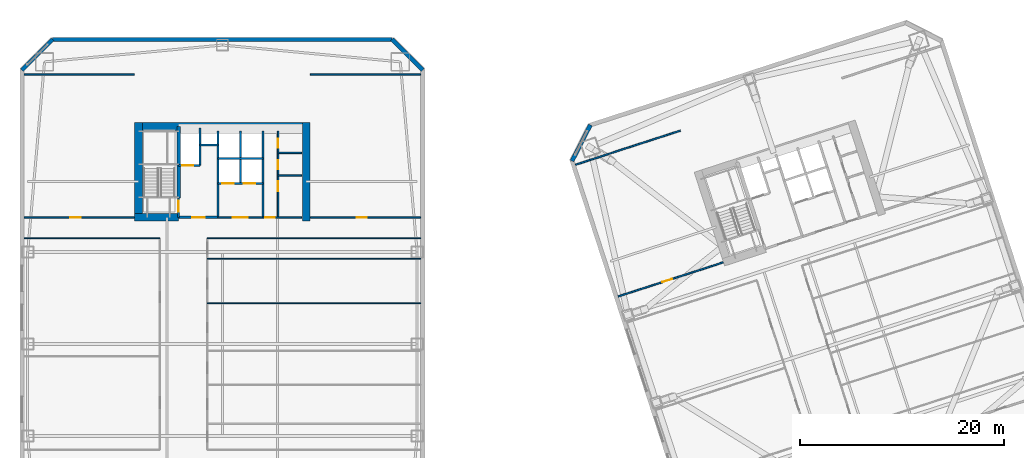
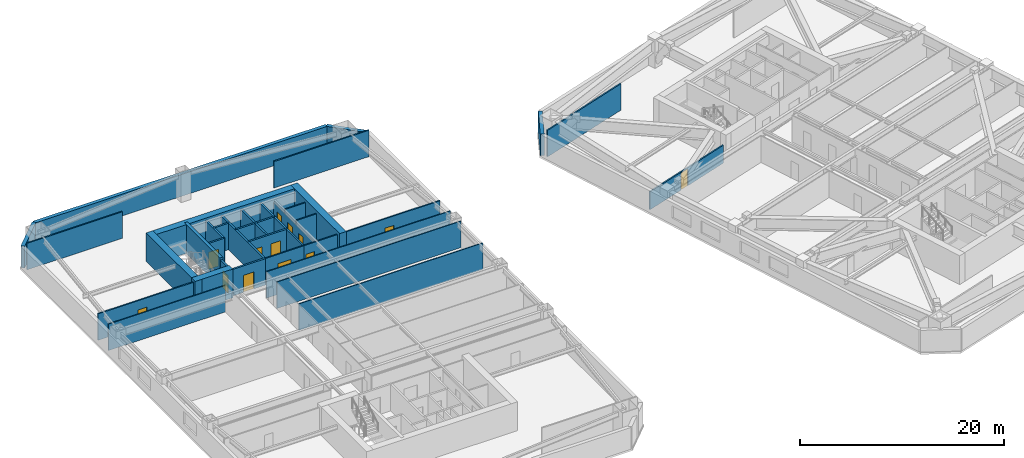
# One storey, part 13 of 18: 34 walls, 13 doors, 13 openings.
"""IFC4 building model written with IfcOpenShell, lengths in metres."""

from ifc_helpers import new_model, si_unit, direction, frame, frame_2d, origin, place, context, subcontext, project, spatial, rectangle, extrude, material, layer, layer_set, type_object, element, fill, save


model = new_model("IFC4")

# Units and contexts
model_context = context("Model", 3, precision=1e-05, world=origin(), true_north=direction((0.0, 1.0)))
body_context = subcontext(model_context, "Body", "Model", "MODEL_VIEW")
ifc_project = project(units=[si_unit("LENGTHUNIT", "METRE"), si_unit("AREAUNIT", "SQUARE_METRE"), si_unit("VOLUMEUNIT", "CUBIC_METRE"), si_unit("PLANEANGLEUNIT", "RADIAN"), si_unit("MASSUNIT", "GRAM", prefix="KILO")], contexts=[model_context])

# Site, building, storey
site_placement = place(None, origin())
site = spatial("IfcSite", under=ifc_project, at=site_placement, CompositionType="ELEMENT")
building_placement = place(site_placement, origin())
building = spatial("IfcBuilding", under=site, at=building_placement, Name="Qiaolan Cultural Towers", CompositionType="ELEMENT")
storey_placement = place(building_placement, frame((0.0, 0.0, 74.75)))
storey = spatial("IfcBuildingStorey", under=building, at=storey_placement, Name="L18", CompositionType="ELEMENT", Elevation=74.75)

# Walls
ifc_material_1 = material(Name="Concrete C50", Category="concrete")
ifc_layer_1 = layer(ifc_material_1, 0.35009765625)
ifc_layer_set_1 = layer_set([ifc_layer_1], Name="Concrete C50")
wall_type_1 = type_object("IfcWallType", Name="WL-CORE-350", PredefinedType="SHEAR", material=ifc_layer_set_1)
wall_1_placement = place(storey_placement, frame((25.719970703125, 48.300048828125, 0.0), z_axis=(0.0, 0.0, 1.0), x_axis=(0.0, 1.0, 0.0)))
element("IfcWall", 1, at=wall_1_placement, inside=storey, type_object=wall_type_1, Name="L18 T1-CN Stair Core Dividing Web", PredefinedType="SHEAR", context=body_context, shape_type="SweptSolid", body=[
    extrude(rectangle(XDim=6.97998046875, YDim=0.35009765625, at=frame_2d((3.489990234375, 0.0))), origin(), (0.0, 0.0, 1.0), 3.449951171875),
])
ifc_material_2 = material(Name="Concrete C60", Category="concrete")
ifc_layer_2 = layer(ifc_material_2, 0.75)
ifc_layer_set_2 = layer_set([ifc_layer_2], Name="Concrete C60")
wall_type_2 = type_object("IfcWallType", Name="WL-CORE-750", PredefinedType="SHEAR", material=ifc_layer_set_2)
wall_2_placement = place(storey_placement, frame((21.425048828125, 55.280029296875, 0.0), z_axis=(0.0, 0.0, 1.0), x_axis=(1.0, 0.0, 0.0)))
element("IfcWall", 2, at=wall_2_placement, inside=storey, type_object=wall_type_2, Name="L18 T1-CN Outer Core Shear Wall", PredefinedType="SHEAR", context=body_context, shape_type="SweptSolid", body=[
    extrude(rectangle(XDim=17.14990234375, YDim=0.75, at=frame_2d((8.574951171875, 0.0))), origin(), (0.0, 0.0, 1.0), 3.449951171875),
])
for number, where, z_axis, x_axis, name in (
    (3, (21.800048828125, 46.02490234375, 0.0), (0.0, 0.0, 1.0), (0.0, 1.0, 0.0), "L18 T1-CN West Core Shear Wall"),
    (4, (38.199951171875, 46.02490234375, 0.0), (0.0, 0.0, 1.0), (0.0, 1.0, 0.0), "L18 T1-CN East Core Shear Wall"),
):
    element("IfcWall", number, at=place(storey_placement, frame(where, z_axis=z_axis, x_axis=x_axis)), inside=storey, type_object=wall_type_2, Name=name, PredefinedType="SHEAR", context=body_context, shape_type="SweptSolid", body=[
        extrude(rectangle(XDim=9.630126953125, YDim=0.75, at=frame_2d((4.81494140625, 0.0))), origin(), (0.0, 0.0, 1.0), 3.449951171875),
    ])
wall_3_placement = place(storey_placement, frame((21.425048828125, 46.39990234375, 0.0), z_axis=(0.0, 0.0, 1.0), x_axis=(1.0, 0.0, 0.0)))
element("IfcWall", 5, at=wall_3_placement, inside=storey, type_object=wall_type_2, Name="L18 T1-CN Stair Front Shear Wall", PredefinedType="SHEAR", context=body_context, shape_type="SweptSolid", body=[
    extrude(rectangle(XDim=4.294921875, YDim=0.75, at=frame_2d((2.1474609375, 0.0))), origin(), (0.0, 0.0, 1.0), 3.449951171875),
])
ifc_material_3 = material(Name="Precast Concrete C50 Honed Stone Pier", Category="masonry")
ifc_layer_3 = layer(ifc_material_3, 0.39990234375)
ifc_layer_set_3 = layer_set([ifc_layer_3], Name="Precast Concrete C50 Honed Stone Pier")
wall_type_3 = type_object("IfcWallType", Name="WL-EXT-PIER-400", PredefinedType="SOLIDWALL", material=ifc_layer_set_3)
wall_4_placement = place(storey_placement, frame((10.39990234375, 60.800048828125, 0.0), z_axis=(0.0, 0.0, 1.0), x_axis=(0.707106781187, 0.707106781187, 0.0)))
element("IfcWall", 6, at=wall_4_placement, inside=storey, type_object=wall_type_3, Name="L18 West Tower Precast Pier Facade Wall F2", PredefinedType="SOLIDWALL", context=body_context, shape_type="SweptSolid", body=[
    extrude(rectangle(XDim=4.24267578125, YDim=0.39990234375, at=frame_2d((2.121337890625, 0.0))), origin(), (0.0, 0.0, 1.0), 2.610107421875),
])
wall_5_placement = place(storey_placement, frame((13.39990234375, 63.800048828125, 0.0), z_axis=(0.0, 0.0, 1.0), x_axis=(1.0, 0.0, 0.0)))
element("IfcWall", 7, at=wall_5_placement, inside=storey, type_object=wall_type_3, Name="L18 West Tower Precast Pier Facade Wall F3", PredefinedType="SOLIDWALL", context=body_context, shape_type="SweptSolid", body=[
    extrude(rectangle(XDim=33.2001953125, YDim=0.39990234375, at=frame_2d((16.60009765625, 0.0))), origin(), (0.0, 0.0, 1.0), 2.610107421875),
])
wall_6_placement = place(storey_placement, frame((46.60009765625, 63.800048828125, 0.0), z_axis=(0.0, 0.0, 1.0), x_axis=(0.707106781187, -0.707106781187, 0.0)))
element("IfcWall", 8, at=wall_6_placement, inside=storey, type_object=wall_type_3, Name="L18 West Tower Precast Pier Facade Wall F4", PredefinedType="SOLIDWALL", context=body_context, shape_type="SweptSolid", body=[
    extrude(rectangle(XDim=4.24267578125, YDim=0.39990234375, at=frame_2d((2.121337890625, 0.0))), origin(), (0.0, 0.0, 1.0), 2.610107421875),
])
wall_7_placement = place(storey_placement, frame((64.20458984375, 51.905029296875, 0.0), z_axis=(0.0, 0.0, 1.0), x_axis=(0.453958106755, 0.891023028497, 0.0)))
element("IfcWall", 9, at=wall_7_placement, inside=storey, type_object=wall_type_3, Name="L18 East Tower Precast Pier Facade Wall F2", PredefinedType="SOLIDWALL", context=body_context, shape_type="SweptSolid", body=[
    extrude(rectangle(XDim=3.9599609375, YDim=0.39990234375, at=frame_2d((1.97998046875, 0.0))), origin(), (0.0, 0.0, 1.0), 2.610107421875),
])

# Wall, opening, door
ifc_material_4 = material(Name="Concrete C35 Fire Wall", Category="concrete")
ifc_layer_4 = layer(ifc_material_4, 0.199951171875)
ifc_layer_set_4 = layer_set([ifc_layer_4], Name="Concrete C35 Fire Wall")
wall_type_4 = type_object("IfcWallType", Name="WL-FIRE-200", PredefinedType="PARTITIONING", material=ifc_layer_set_4)
wall_8_placement = place(storey_placement, frame((25.719970703125, 46.39990234375, 0.0), z_axis=(0.0, 0.0, 1.0), x_axis=(0.0, 1.0, 0.0)))
wall_8 = element("IfcWall", 10, at=wall_8_placement, inside=storey, type_object=wall_type_4, Name="L18 T1-CN Smokeproof Stair Entry Wall", PredefinedType="PARTITIONING", context=body_context, shape_type="SweptSolid", body=[
    extrude(rectangle(XDim=1.900146484375, YDim=0.199951171875, at=frame_2d((0.9501953125, 0.0))), origin(), (0.0, 0.0, 1.0), 3.175048828125),
])
opening_1_placement = place(wall_8_placement, frame((0.52001953125, 0.0, 0.0)))
opening_1 = element("IfcOpeningElement", 11, at=opening_1_placement, cuts=wall_8, Name="Opening FD-04", PredefinedType="OPENING", context=body_context, shape_type="SweptSolid", body=[
    extrude(rectangle(XDim=1.10009765625, YDim=2.050048828125, at=frame_2d((0.550048828125, 1.02490234375))), frame((0.0, 0.10986328125, 0.0), z_axis=(0.0, -1.0, 0.0), x_axis=(1.0, 0.0, 0.0)), (0.0, 0.0, 1.0), 0.219970703125),
])
ifc_material_5 = material(Name="Galvanized Steel Command Fire Door", Category="steel")
door_type_1 = type_object("IfcDoorType", Name="DR-FD90-1100", OperationType="NOTDEFINED", PredefinedType="DOOR", material=ifc_material_5)
door_1_placement = place(opening_1_placement, origin())
door_1 = element("IfcDoor", 12, at=door_1_placement, inside=storey, type_object=door_type_1, Name="L18 ST-W2 Smokeproof Stair Fire Door", OperationType="SINGLE_SWING_LEFT", OverallHeight=2.050048828125, OverallWidth=1.10009765625, PredefinedType="DOOR", context=body_context, shape_type="SweptSolid", body=[
    extrude(rectangle(XDim=1.10009765625, YDim=2.050048828125, at=frame_2d((0.550048828125, 1.02490234375))), frame((0.0, 0.02490234375, 0.0), z_axis=(0.0, -1.0, 0.0), x_axis=(1.0, 0.0, 0.0)), (0.0, 0.0, 1.0), 0.050048828125),
])
fill(opening_1, door_1)

# Wall
wall_9_placement = place(storey_placement, frame((29.550048828125, 46.39990234375, 0.0), z_axis=(0.0, 0.0, 1.0), x_axis=(0.0, 1.0, 0.0)))
element("IfcWall", 13, at=wall_9_placement, inside=storey, type_object=wall_type_4, Name="L18 T1-CN Firefighting Zone Wall", PredefinedType="PARTITIONING", context=body_context, shape_type="SweptSolid", body=[
    extrude(rectangle(XDim=8.43017578125, YDim=0.199951171875, at=frame_2d((4.215087890625, 0.0))), origin(), (0.0, 0.0, 1.0), 3.175048828125),
])

# Wall, opening, door
wall_10_placement = place(storey_placement, frame((25.719970703125, 46.39990234375, 0.0), z_axis=(0.0, 0.0, 1.0), x_axis=(1.0, 0.0, 0.0)))
wall_10 = element("IfcWall", 14, at=wall_10_placement, inside=storey, type_object=wall_type_4, Name="L18 T1-CN Firefighting Lobby Front Wall", PredefinedType="PARTITIONING", context=body_context, shape_type="SweptSolid", body=[
    extrude(rectangle(XDim=3.830078125, YDim=0.199951171875, at=frame_2d((1.9150390625, 0.0))), origin(), (0.0, 0.0, 1.0), 3.175048828125),
])
opening_2_placement = place(wall_10_placement, frame((1.35009765625, 0.0, 0.0)))
opening_2 = element("IfcOpeningElement", 15, at=opening_2_placement, cuts=wall_10, Name="Opening FD-03", PredefinedType="OPENING", context=body_context, shape_type="SweptSolid", body=[
    extrude(rectangle(XDim=1.199951171875, YDim=2.050048828125, at=frame_2d((0.60009765625, 1.02490234375))), frame((0.0, 0.10986328125, 0.0), z_axis=(0.0, -1.0, 0.0), x_axis=(1.0, 0.0, 0.0)), (0.0, 0.0, 1.0), 0.219970703125),
])
ifc_material_6 = material(Name="Galvanized Steel Smokeproof Lobby Fire Door", Category="steel")
door_type_2 = type_object("IfcDoorType", Name="DR-FD90-1200", OperationType="NOTDEFINED", PredefinedType="DOOR", material=ifc_material_6)
door_2_placement = place(opening_2_placement, origin())
door_2 = element("IfcDoor", 16, at=door_2_placement, inside=storey, type_object=door_type_2, Name="L18 FFL-W2 Firefighting Lobby Fire Door", OperationType="SINGLE_SWING_LEFT", OverallHeight=2.050048828125, OverallWidth=1.199951171875, PredefinedType="DOOR", context=body_context, shape_type="SweptSolid", body=[
    extrude(rectangle(XDim=1.199951171875, YDim=2.050048828125, at=frame_2d((0.60009765625, 1.02490234375))), frame((0.0, 0.02490234375, 0.0), z_axis=(0.0, -1.0, 0.0), x_axis=(1.0, 0.0, 0.0)), (0.0, 0.0, 1.0), 0.050048828125),
])
fill(opening_2, door_2)

wall_11_placement = place(storey_placement, frame((25.719970703125, 51.449951171875, 0.0), z_axis=(0.0, 0.0, 1.0), x_axis=(1.0, 0.0, 0.0)))
wall_11 = element("IfcWall", 17, at=wall_11_placement, inside=storey, type_object=wall_type_4, Name="L18 T1-CN Firefighting Shaft Front Wall", PredefinedType="PARTITIONING", context=body_context, shape_type="SweptSolid", body=[
    extrude(rectangle(XDim=2.10009765625, YDim=0.199951171875, at=frame_2d((1.050048828125, 0.0))), origin(), (0.0, 0.0, 1.0), 3.175048828125),
])
opening_3_placement = place(wall_11_placement, frame((0.35009765625, 0.0, 0.0)))
opening_3 = element("IfcOpeningElement", 18, at=opening_3_placement, cuts=wall_11, Name="Opening LD-01", PredefinedType="OPENING", context=body_context, shape_type="SweptSolid", body=[
    extrude(rectangle(XDim=1.10009765625, YDim=2.050048828125, at=frame_2d((0.550048828125, 1.02490234375))), frame((0.0, 0.10986328125, 0.0), z_axis=(0.0, -1.0, 0.0), x_axis=(1.0, 0.0, 0.0)), (0.0, 0.0, 1.0), 0.219970703125),
])
ifc_material_7 = material(Name="Brushed Stainless Steel S30408 Centre-Parting Lift Landing Door", Category="steel")
door_type_3 = type_object("IfcDoorType", Name="DR-LIFT-1100", OperationType="NOTDEFINED", PredefinedType="DOOR", material=ifc_material_7)
door_3_placement = place(opening_3_placement, origin())
door_3 = element("IfcDoor", 19, at=door_3_placement, inside=storey, type_object=door_type_3, Name="L18 FFL-W2 Firefighting Lift Landing Door", OperationType="DOUBLE_DOOR_SLIDING", OverallHeight=2.050048828125, OverallWidth=1.10009765625, PredefinedType="DOOR", context=body_context, shape_type="SweptSolid", body=[
    extrude(rectangle(XDim=1.10009765625, YDim=2.050048828125, at=frame_2d((0.550048828125, 1.02490234375))), frame((0.0, 0.02490234375, 0.0), z_axis=(0.0, -1.0, 0.0), x_axis=(1.0, 0.0, 0.0)), (0.0, 0.0, 1.0), 0.050048828125),
])
fill(opening_3, door_3)

# Walls
wall_12_placement = place(storey_placement, frame((27.820068359375, 51.449951171875, 0.0), z_axis=(0.0, 0.0, 1.0), x_axis=(0.0, 1.0, 0.0)))
element("IfcWall", 20, at=wall_12_placement, inside=storey, type_object=wall_type_4, Name="L18 T1-CN Firefighting Hoistway East Wall", PredefinedType="PARTITIONING", context=body_context, shape_type="SweptSolid", body=[
    extrude(rectangle(XDim=3.699951171875, YDim=0.199951171875, at=frame_2d((1.85009765625, 0.0))), origin(), (0.0, 0.0, 1.0), 3.175048828125),
])
wall_13_placement = place(storey_placement, frame((27.820068359375, 53.47998046875, 0.0), z_axis=(0.0, 0.0, 1.0), x_axis=(1.0, 0.0, 0.0)))
element("IfcWall", 21, at=wall_13_placement, inside=storey, type_object=wall_type_4, Name="L18 T1-CN Pressurization Shaft Front Wall", PredefinedType="PARTITIONING", context=body_context, shape_type="SweptSolid", body=[
    extrude(rectangle(XDim=1.72998046875, YDim=0.199951171875, at=frame_2d((0.864990234375, 0.0))), origin(), (0.0, 0.0, 1.0), 3.175048828125),
])
wall_14_placement = place(storey_placement, frame((33.949951171875, 46.39990234375, 0.0), z_axis=(0.0, 0.0, 1.0), x_axis=(0.0, 1.0, 0.0)))
element("IfcWall", 22, at=wall_14_placement, inside=storey, type_object=wall_type_4, Name="L18 T1-CN Lift Core East Wall", PredefinedType="PARTITIONING", context=body_context, shape_type="SweptSolid", body=[
    extrude(rectangle(XDim=8.43017578125, YDim=0.199951171875, at=frame_2d((4.215087890625, 0.0))), origin(), (0.0, 0.0, 1.0), 3.175048828125),
])

# Wall, openings, doors
wall_15_placement = place(storey_placement, frame((29.550048828125, 49.719970703125, 0.0), z_axis=(0.0, 0.0, 1.0), x_axis=(1.0, 0.0, 0.0)))
wall_15 = element("IfcWall", 23, at=wall_15_placement, inside=storey, type_object=wall_type_4, Name="L18 T1-CN Passenger Lift Shaft Front Wall", PredefinedType="PARTITIONING", context=body_context, shape_type="SweptSolid", body=[
    extrude(rectangle(XDim=4.39990234375, YDim=0.199951171875, at=frame_2d((2.199951171875, 0.0))), origin(), (0.0, 0.0, 1.0), 3.175048828125),
])
opening_4_placement = place(wall_15_placement, frame((0.449951171875, 0.0, 0.0)))
opening_4 = element("IfcOpeningElement", 24, at=opening_4_placement, cuts=wall_15, Name="Opening LD-01", PredefinedType="OPENING", context=body_context, shape_type="SweptSolid", body=[
    extrude(rectangle(XDim=1.10009765625, YDim=2.050048828125, at=frame_2d((0.550048828125, 1.02490234375))), frame((0.0, 0.10986328125, 0.0), z_axis=(0.0, -1.0, 0.0), x_axis=(1.0, 0.0, 0.0)), (0.0, 0.0, 1.0), 0.219970703125),
])
opening_5_placement = place(wall_15_placement, frame((2.550048828125, 0.0, 0.0)))
opening_5 = element("IfcOpeningElement", 25, at=opening_5_placement, cuts=wall_15, Name="Opening LD-01", PredefinedType="OPENING", context=body_context, shape_type="SweptSolid", body=[
    extrude(rectangle(XDim=1.10009765625, YDim=2.050048828125, at=frame_2d((0.550048828125, 1.02490234375))), frame((0.0, 0.10986328125, 0.0), z_axis=(0.0, -1.0, 0.0), x_axis=(1.0, 0.0, 0.0)), (0.0, 0.0, 1.0), 0.219970703125),
])
door_4_placement = place(opening_4_placement, origin())
door_4 = element("IfcDoor", 26, at=door_4_placement, inside=storey, type_object=door_type_3, Name="L18 Passenger Lift 1 Landing Door", OperationType="DOUBLE_DOOR_SLIDING", OverallHeight=2.050048828125, OverallWidth=1.10009765625, PredefinedType="DOOR", context=body_context, shape_type="SweptSolid", body=[
    extrude(rectangle(XDim=1.10009765625, YDim=2.050048828125, at=frame_2d((0.550048828125, 1.02490234375))), frame((0.0, 0.02490234375, 0.0), z_axis=(0.0, -1.0, 0.0), x_axis=(1.0, 0.0, 0.0)), (0.0, 0.0, 1.0), 0.050048828125),
])
fill(opening_4, door_4)
door_5_placement = place(opening_5_placement, origin())
door_5 = element("IfcDoor", 27, at=door_5_placement, inside=storey, type_object=door_type_3, Name="L18 Passenger Lift 2 Landing Door", OperationType="DOUBLE_DOOR_SLIDING", OverallHeight=2.050048828125, OverallWidth=1.10009765625, PredefinedType="DOOR", context=body_context, shape_type="SweptSolid", body=[
    extrude(rectangle(XDim=1.10009765625, YDim=2.050048828125, at=frame_2d((0.550048828125, 1.02490234375))), frame((0.0, 0.02490234375, 0.0), z_axis=(0.0, -1.0, 0.0), x_axis=(1.0, 0.0, 0.0)), (0.0, 0.0, 1.0), 0.050048828125),
])
fill(opening_5, door_5)

# Walls
wall_16_placement = place(storey_placement, frame((31.780029296875, 49.719970703125, 0.0), z_axis=(0.0, 0.0, 1.0), x_axis=(0.0, 1.0, 0.0)))
element("IfcWall", 28, at=wall_16_placement, inside=storey, type_object=wall_type_4, Name="L18 T1-CN Lift Shaft Divider Wall", PredefinedType="PARTITIONING", context=body_context, shape_type="SweptSolid", body=[
    extrude(rectangle(XDim=5.110107421875, YDim=0.199951171875, at=frame_2d((2.55517578125, 0.0))), origin(), (0.0, 0.0, 1.0), 3.175048828125),
])
wall_17_placement = place(storey_placement, frame((29.550048828125, 52.14990234375, 0.0), z_axis=(0.0, 0.0, 1.0), x_axis=(1.0, 0.0, 0.0)))
element("IfcWall", 29, at=wall_17_placement, inside=storey, type_object=wall_type_4, Name="L18 T1-CN Passenger Lift Shaft Back Wall", PredefinedType="PARTITIONING", context=body_context, shape_type="SweptSolid", body=[
    extrude(rectangle(XDim=4.39990234375, YDim=0.199951171875, at=frame_2d((2.199951171875, 0.0))), origin(), (0.0, 0.0, 1.0), 3.175048828125),
])
ifc_material_8 = material(Name="Acoustic Double-Glazed Partition Frame", Category="glass")
ifc_layer_5 = layer(ifc_material_8, 0.10009765625)
ifc_layer_set_5 = layer_set([ifc_layer_5], Name="Acoustic Double-Glazed Partition Frame")
wall_type_5 = type_object("IfcWallType", Name="WL-GLAZED-100", PredefinedType="MOVABLE", material=ifc_layer_set_5)
wall_18_placement = place(storey_placement, frame((10.60009765625, 44.35009765625, 0.0), z_axis=(0.0, 0.0, 1.0), x_axis=(1.0, 0.0, 0.0)))
element("IfcWall", 30, at=wall_18_placement, inside=storey, type_object=wall_type_5, Name="L18 T1 North Corridor Left Wall", PredefinedType="MOVABLE", context=body_context, shape_type="SweptSolid", body=[
    extrude(rectangle(XDim=13.27490234375, YDim=0.10009765625, at=frame_2d((6.637451171875, 0.0))), origin(), (0.0, 0.0, 1.0), 3.175048828125),
])
for number, where, z_axis, x_axis, name in (
    (31, (28.52490234375, 44.35009765625, 0.0), (0.0, 0.0, 1.0), (1.0, 0.0, 0.0), "L18 T1 North Corridor Right Wall"),
    (32, (28.52490234375, 38.0, 0.0), (0.0, 0.0, 1.0), (1.0, 0.0, 0.0), "L18 T1 East Partition 4"),
    (33, (28.52490234375, 42.320068359375, 0.0), (0.0, 0.0, 1.0), (1.0, 0.0, 0.0), "L18 T1 East Partition 6"),
):
    element("IfcWall", number, at=place(storey_placement, frame(where, z_axis=z_axis, x_axis=x_axis)), inside=storey, type_object=wall_type_5, Name=name, PredefinedType="MOVABLE", context=body_context, shape_type="SweptSolid", body=[
        extrude(rectangle(XDim=20.875, YDim=0.10009765625, at=frame_2d((10.4375, 0.0))), origin(), (0.0, 0.0, 1.0), 3.175048828125),
    ])

# Wall, opening, door
ifc_material_9 = material(Name="Autoclaved Aerated Concrete Block B06", Category="concrete")
ifc_layer_6 = layer(ifc_material_9, 0.14990234375)
ifc_layer_set_6 = layer_set([ifc_layer_6], Name="Autoclaved Aerated Concrete Block B06")
wall_type_6 = type_object("IfcWallType", Name="WL-PART-150", PredefinedType="PARTITIONING", material=ifc_layer_set_6)
wall_19_placement = place(storey_placement, frame((29.550048828125, 46.39990234375, 0.0), z_axis=(0.0, 0.0, 1.0), x_axis=(1.0, 0.0, 0.0)))
wall_19 = element("IfcWall", 34, at=wall_19_placement, inside=storey, type_object=wall_type_6, Name="L18 T1-CN Passenger Lift Lobby Front Wall", PredefinedType="PARTITIONING", context=body_context, shape_type="SweptSolid", body=[
    extrude(rectangle(XDim=4.39990234375, YDim=0.14990234375, at=frame_2d((2.199951171875, 0.0))), origin(), (0.0, 0.0, 1.0), 3.175048828125),
])
opening_6_placement = place(wall_19_placement, frame((1.449951171875, 0.0, 0.0)))
opening_6 = element("IfcOpeningElement", 35, at=opening_6_placement, cuts=wall_19, Name="Opening FD-05", PredefinedType="OPENING", context=body_context, shape_type="SweptSolid", body=[
    extrude(rectangle(XDim=1.5, YDim=2.050048828125, at=frame_2d((0.75, 1.02490234375))), frame((0.0, 0.0849609375, 0.0), z_axis=(0.0, -1.0, 0.0), x_axis=(1.0, 0.0, 0.0)), (0.0, 0.0, 1.0), 0.169921875),
])
ifc_material_10 = material(Name="Painted Steel Lift Lobby Fire Door", Category="steel")
door_type_4 = type_object("IfcDoorType", Name="DR-FD60-1500", OperationType="NOTDEFINED", PredefinedType="DOOR", material=ifc_material_10)
door_6_placement = place(opening_6_placement, origin())
door_6 = element("IfcDoor", 36, at=door_6_placement, inside=storey, type_object=door_type_4, Name="L18 Passenger Lift Lobby Entrance", OperationType="SINGLE_SWING_LEFT", OverallHeight=2.050048828125, OverallWidth=1.5, PredefinedType="DOOR", context=body_context, shape_type="SweptSolid", body=[
    extrude(rectangle(XDim=1.5, YDim=2.050048828125, at=frame_2d((0.75, 1.02490234375))), frame((0.0, 0.02490234375, 0.0), z_axis=(0.0, -1.0, 0.0), x_axis=(1.0, 0.0, 0.0)), (0.0, 0.0, 1.0), 0.050048828125),
])
fill(opening_6, door_6)

wall_20_placement = place(storey_placement, frame((33.949951171875, 46.39990234375, 0.0), z_axis=(0.0, 0.0, 1.0), x_axis=(1.0, 0.0, 0.0)))
wall_20 = element("IfcWall", 37, at=wall_20_placement, inside=storey, type_object=wall_type_6, Name="L18 T1-CN Sanitary Core Front Wall", PredefinedType="PARTITIONING", context=body_context, shape_type="SweptSolid", body=[
    extrude(rectangle(XDim=3.800048828125, YDim=0.14990234375, at=frame_2d((1.89990234375, 0.0))), origin(), (0.0, 0.0, 1.0), 3.175048828125),
])
opening_7_placement = place(wall_20_placement, frame((0.219970703125, 0.0, 0.0)))
opening_7 = element("IfcOpeningElement", 38, at=opening_7_placement, cuts=wall_20, Name="Opening ID-05", PredefinedType="OPENING", context=body_context, shape_type="SweptSolid", body=[
    extrude(rectangle(XDim=0.949951171875, YDim=2.050048828125, at=frame_2d((0.47509765625, 1.02490234375))), frame((0.0, 0.0849609375, 0.0), z_axis=(0.0, -1.0, 0.0), x_axis=(1.0, 0.0, 0.0)), (0.0, 0.0, 1.0), 0.169921875),
])
ifc_material_11 = material(Name="Fire-Rated Laminate Accessible Core Door", Category="timber")
door_type_5 = type_object("IfcDoorType", Name="DR-INT-950", OperationType="NOTDEFINED", PredefinedType="DOOR", material=ifc_material_11)
door_7_placement = place(opening_7_placement, origin())
door_7 = element("IfcDoor", 39, at=door_7_placement, inside=storey, type_object=door_type_5, Name="L18 Sanitary Vestibule Door", OperationType="SINGLE_SWING_LEFT", OverallHeight=2.050048828125, OverallWidth=0.949951171875, PredefinedType="DOOR", context=body_context, shape_type="SweptSolid", body=[
    extrude(rectangle(XDim=0.949951171875, YDim=2.050048828125, at=frame_2d((0.47509765625, 1.02490234375))), frame((0.0, 0.02490234375, 0.0), z_axis=(0.0, -1.0, 0.0), x_axis=(1.0, 0.0, 0.0)), (0.0, 0.0, 1.0), 0.050048828125),
])
fill(opening_7, door_7)

# Wall, openings, doors
wall_21_placement = place(storey_placement, frame((35.449951171875, 46.39990234375, 0.0), z_axis=(0.0, 0.0, 1.0), x_axis=(0.0, 1.0, 0.0)))
wall_21 = element("IfcWall", 40, at=wall_21_placement, inside=storey, type_object=wall_type_6, Name="L18 T1-CN Sanitary Vestibule Wall", PredefinedType="PARTITIONING", context=body_context, shape_type="SweptSolid", body=[
    extrude(rectangle(XDim=8.43017578125, YDim=0.14990234375, at=frame_2d((4.215087890625, 0.0))), origin(), (0.0, 0.0, 1.0), 2.764892578125),
])
opening_8_placement = place(wall_21_placement, frame((2.550048828125, 0.0, 0.0)))
opening_8 = element("IfcOpeningElement", 41, at=opening_8_placement, cuts=wall_21, Name="Opening ID-05", PredefinedType="OPENING", context=body_context, shape_type="SweptSolid", body=[
    extrude(rectangle(XDim=0.949951171875, YDim=2.050048828125, at=frame_2d((0.47509765625, 1.02490234375))), frame((0.0, 0.0849609375, 0.0), z_axis=(0.0, -1.0, 0.0), x_axis=(1.0, 0.0, 0.0)), (0.0, 0.0, 1.0), 0.169921875),
])
opening_9_placement = place(wall_21_placement, frame((4.699951171875, 0.0, 0.0)))
opening_9 = element("IfcOpeningElement", 42, at=opening_9_placement, cuts=wall_21, Name="Opening ID-06", PredefinedType="OPENING", context=body_context, shape_type="SweptSolid", body=[
    extrude(rectangle(XDim=0.89990234375, YDim=2.050048828125, at=frame_2d((0.449951171875, 1.02490234375))), frame((0.0, 0.0849609375, 0.0), z_axis=(0.0, -1.0, 0.0), x_axis=(1.0, 0.0, 0.0)), (0.0, 0.0, 1.0), 0.169921875),
])
opening_10_placement = place(wall_21_placement, frame((6.800048828125, 0.0, 0.0)))
opening_10 = element("IfcOpeningElement", 43, at=opening_10_placement, cuts=wall_21, Name="Opening ID-06", PredefinedType="OPENING", context=body_context, shape_type="SweptSolid", body=[
    extrude(rectangle(XDim=0.89990234375, YDim=2.050048828125, at=frame_2d((0.449951171875, 1.02490234375))), frame((0.0, 0.0849609375, 0.0), z_axis=(0.0, -1.0, 0.0), x_axis=(1.0, 0.0, 0.0)), (0.0, 0.0, 1.0), 0.169921875),
])
ifc_material_12 = material(Name="Fire-Rated Laminate Core Service Door", Category="timber")
door_type_6 = type_object("IfcDoorType", Name="DR-INT-900", OperationType="NOTDEFINED", PredefinedType="DOOR", material=ifc_material_12)
door_8_placement = place(opening_9_placement, origin())
door_8 = element("IfcDoor", 44, at=door_8_placement, inside=storey, type_object=door_type_6, Name="L18 Men Washroom Door", OperationType="SINGLE_SWING_LEFT", OverallHeight=2.050048828125, OverallWidth=0.89990234375, PredefinedType="DOOR", context=body_context, shape_type="SweptSolid", body=[
    extrude(rectangle(XDim=0.89990234375, YDim=2.050048828125, at=frame_2d((0.449951171875, 1.02490234375))), frame((0.0, 0.02490234375, 0.0), z_axis=(0.0, -1.0, 0.0), x_axis=(1.0, 0.0, 0.0)), (0.0, 0.0, 1.0), 0.050048828125),
])
fill(opening_9, door_8)
door_9_placement = place(opening_10_placement, origin())
door_9 = element("IfcDoor", 45, at=door_9_placement, inside=storey, type_object=door_type_6, Name="L18 Women Washroom Door", OperationType="SINGLE_SWING_RIGHT", OverallHeight=2.050048828125, OverallWidth=0.89990234375, PredefinedType="DOOR", context=body_context, shape_type="SweptSolid", body=[
    extrude(rectangle(XDim=0.89990234375, YDim=2.050048828125, at=frame_2d((0.449951171875, 1.02490234375))), frame((0.0, 0.02490234375, 0.0), z_axis=(0.0, -1.0, 0.0), x_axis=(1.0, 0.0, 0.0)), (0.0, 0.0, 1.0), 0.050048828125),
])
fill(opening_10, door_9)
door_10_placement = place(opening_8_placement, origin())
door_10 = element("IfcDoor", 46, at=door_10_placement, inside=storey, type_object=door_type_5, Name="L18 Accessible Family Washroom Door", OperationType="SINGLE_SWING_LEFT", OverallHeight=2.050048828125, OverallWidth=0.949951171875, PredefinedType="DOOR", context=body_context, shape_type="SweptSolid", body=[
    extrude(rectangle(XDim=0.949951171875, YDim=2.050048828125, at=frame_2d((0.47509765625, 1.02490234375))), frame((0.0, 0.02490234375, 0.0), z_axis=(0.0, -1.0, 0.0), x_axis=(1.0, 0.0, 0.0)), (0.0, 0.0, 1.0), 0.050048828125),
])
fill(opening_8, door_10)

# Walls
for number, where, z_axis, x_axis, name in (
    (47, (35.449951171875, 50.5, 0.0), (0.0, 0.0, 1.0), (1.0, 0.0, 0.0), "L18 T1-CN Restroom Split Wall 1"),
    (48, (35.449951171875, 52.699951171875, 0.0), (0.0, 0.0, 1.0), (1.0, 0.0, 0.0), "L18 T1-CN Restroom Split Wall 2"),
):
    element("IfcWall", number, at=place(storey_placement, frame(where, z_axis=z_axis, x_axis=x_axis)), inside=storey, type_object=wall_type_6, Name=name, PredefinedType="PARTITIONING", context=body_context, shape_type="SweptSolid", body=[
        extrude(rectangle(XDim=2.300048828125, YDim=0.14990234375, at=frame_2d((1.14990234375, 0.0))), origin(), (0.0, 0.0, 1.0), 3.175048828125),
    ])
wall_22_placement = place(storey_placement, frame((10.60009765625, 60.35009765625, 0.0), z_axis=(0.0, 0.0, 1.0), x_axis=(1.0, 0.0, 0.0)))
element("IfcWall", 49, at=wall_22_placement, inside=storey, type_object=wall_type_6, Name="L18 T1 Flank Wall FLK-NW", PredefinedType="PARTITIONING", context=body_context, shape_type="SweptSolid", body=[
    extrude(rectangle(XDim=10.7998046875, YDim=0.14990234375, at=frame_2d((5.39990234375, 0.0))), origin(), (0.0, 0.0, 1.0), 3.175048828125),
])

# Wall, opening, door
wall_23_placement = place(storey_placement, frame((10.60009765625, 46.39990234375, 0.0), z_axis=(0.0, 0.0, 1.0), x_axis=(1.0, 0.0, 0.0)))
wall_23 = element("IfcWall", 50, at=wall_23_placement, inside=storey, type_object=wall_type_6, Name="L18 T1 Flank Front FLK-NW", PredefinedType="PARTITIONING", context=body_context, shape_type="SweptSolid", body=[
    extrude(rectangle(XDim=10.7998046875, YDim=0.14990234375, at=frame_2d((5.39990234375, 0.0))), origin(), (0.0, 0.0, 1.0), 3.175048828125),
])
opening_11_placement = place(wall_23_placement, frame((4.535888671875, 0.0, 0.0)))
opening_11 = element("IfcOpeningElement", 51, at=opening_11_placement, cuts=wall_23, Name="Opening ID-04", PredefinedType="OPENING", context=body_context, shape_type="SweptSolid", body=[
    extrude(rectangle(XDim=1.0, YDim=2.050048828125, at=frame_2d((0.5, 1.02490234375))), frame((0.0, 0.0849609375, 0.0), z_axis=(0.0, -1.0, 0.0), x_axis=(1.0, 0.0, 0.0)), (0.0, 0.0, 1.0), 0.169921875),
])
ifc_material_13 = material(Name="Oak Veneer Acoustic Office Door", Category="timber")
door_type_7 = type_object("IfcDoorType", Name="DR-INT-1000", OperationType="NOTDEFINED", PredefinedType="DOOR", material=ifc_material_13)
door_11_placement = place(opening_11_placement, origin())
door_11 = element("IfcDoor", 52, at=door_11_placement, inside=storey, type_object=door_type_7, Name="L18 T1 Corner Studio Door", OperationType="SINGLE_SWING_LEFT", OverallHeight=2.050048828125, OverallWidth=1.0, PredefinedType="DOOR", context=body_context, shape_type="SweptSolid", body=[
    extrude(rectangle(XDim=1.0, YDim=2.050048828125, at=frame_2d((0.5, 1.02490234375))), frame((0.0, 0.02490234375, 0.0), z_axis=(0.0, -1.0, 0.0), x_axis=(1.0, 0.0, 0.0)), (0.0, 0.0, 1.0), 0.050048828125),
])
fill(opening_11, door_11)

# Wall
wall_24_placement = place(storey_placement, frame((38.60009765625, 60.35009765625, 0.0), z_axis=(0.0, 0.0, 1.0), x_axis=(1.0, 0.0, 0.0)))
element("IfcWall", 53, at=wall_24_placement, inside=storey, type_object=wall_type_6, Name="L18 T1 Flank Wall FLK-NE", PredefinedType="PARTITIONING", context=body_context, shape_type="SweptSolid", body=[
    extrude(rectangle(XDim=10.7998046875, YDim=0.14990234375, at=frame_2d((5.39990234375, 0.0))), origin(), (0.0, 0.0, 1.0), 3.175048828125),
])

# Wall, opening, door
wall_25_placement = place(storey_placement, frame((38.60009765625, 46.39990234375, 0.0), z_axis=(0.0, 0.0, 1.0), x_axis=(1.0, 0.0, 0.0)))
wall_25 = element("IfcWall", 54, at=wall_25_placement, inside=storey, type_object=wall_type_6, Name="L18 T1 Flank Front FLK-NE", PredefinedType="PARTITIONING", context=body_context, shape_type="SweptSolid", body=[
    extrude(rectangle(XDim=10.7998046875, YDim=0.14990234375, at=frame_2d((5.39990234375, 0.0))), origin(), (0.0, 0.0, 1.0), 3.175048828125),
])
opening_12_placement = place(wall_25_placement, frame((4.535888671875, 0.0, 0.0)))
opening_12 = element("IfcOpeningElement", 55, at=opening_12_placement, cuts=wall_25, Name="Opening ID-04", PredefinedType="OPENING", context=body_context, shape_type="SweptSolid", body=[
    extrude(rectangle(XDim=1.0, YDim=2.050048828125, at=frame_2d((0.5, 1.02490234375))), frame((0.0, 0.0849609375, 0.0), z_axis=(0.0, -1.0, 0.0), x_axis=(1.0, 0.0, 0.0)), (0.0, 0.0, 1.0), 0.169921875),
])
door_12_placement = place(opening_12_placement, origin())
door_12 = element("IfcDoor", 56, at=door_12_placement, inside=storey, type_object=door_type_7, Name="L18 T1 Corner Studio Door", OperationType="SINGLE_SWING_LEFT", OverallHeight=2.050048828125, OverallWidth=1.0, PredefinedType="DOOR", context=body_context, shape_type="SweptSolid", body=[
    extrude(rectangle(XDim=1.0, YDim=2.050048828125, at=frame_2d((0.5, 1.02490234375))), frame((0.0, 0.02490234375, 0.0), z_axis=(0.0, -1.0, 0.0), x_axis=(1.0, 0.0, 0.0)), (0.0, 0.0, 1.0), 0.050048828125),
])
fill(opening_12, door_12)

# Wall
wall_26_placement = place(storey_placement, frame((64.53369140625, 51.538818359375, 0.0), z_axis=(0.0, 0.0, 1.0), x_axis=(0.951056658866, 0.309016555588, 0.0)))
element("IfcWall", 57, at=wall_26_placement, inside=storey, type_object=wall_type_6, Name="L18 T2 Flank Wall FLK-NW", PredefinedType="PARTITIONING", context=body_context, shape_type="SweptSolid", body=[
    extrude(rectangle(XDim=10.800048828125, YDim=0.14990234375, at=frame_2d((5.39990234375, 0.0))), origin(), (0.0, 0.0, 1.0), 3.175048828125),
])

# Wall, opening, door
wall_27_placement = place(storey_placement, frame((68.720947265625, 38.652099609375, 0.0), z_axis=(0.0, 0.0, 1.0), x_axis=(0.951056658866, 0.309016555588, 0.0)))
wall_27 = element("IfcWall", 58, at=wall_27_placement, inside=storey, type_object=wall_type_6, Name="L18 T2 Flank Front FLK-NW", PredefinedType="PARTITIONING", context=body_context, shape_type="SweptSolid", body=[
    extrude(rectangle(XDim=10.800048828125, YDim=0.14990234375, at=frame_2d((5.39990234375, 0.0))), origin(), (0.0, 0.0, 1.0), 2.14990234375),
])
opening_13_placement = place(wall_27_placement, frame((4.535888671875, 0.0, 0.0)))
opening_13 = element("IfcOpeningElement", 59, at=opening_13_placement, cuts=wall_27, Name="Opening ID-04", PredefinedType="OPENING", context=body_context, shape_type="SweptSolid", body=[
    extrude(rectangle(XDim=1.0, YDim=2.050048828125, at=frame_2d((0.5, 1.02490234375))), frame((0.0, 0.0849609375, 0.0), z_axis=(0.0, -1.0, 0.0), x_axis=(1.0, 0.0, 0.0)), (0.0, 0.0, 1.0), 0.169921875),
])
door_13_placement = place(opening_13_placement, origin())
door_13 = element("IfcDoor", 60, at=door_13_placement, inside=storey, type_object=door_type_7, Name="L18 T2 Corner Studio Door", OperationType="SINGLE_SWING_LEFT", OverallHeight=2.050048828125, OverallWidth=1.0, PredefinedType="DOOR", context=body_context, shape_type="SweptSolid", body=[
    extrude(rectangle(XDim=1.0, YDim=2.050048828125, at=frame_2d((0.5, 1.02490234375))), frame((0.0, 0.02490234375, 0.0), z_axis=(0.0, -1.0, 0.0), x_axis=(1.0, 0.0, 0.0)), (0.0, 0.0, 1.0), 0.050048828125),
])
fill(opening_13, door_13)

save(model, "model.ifc")
